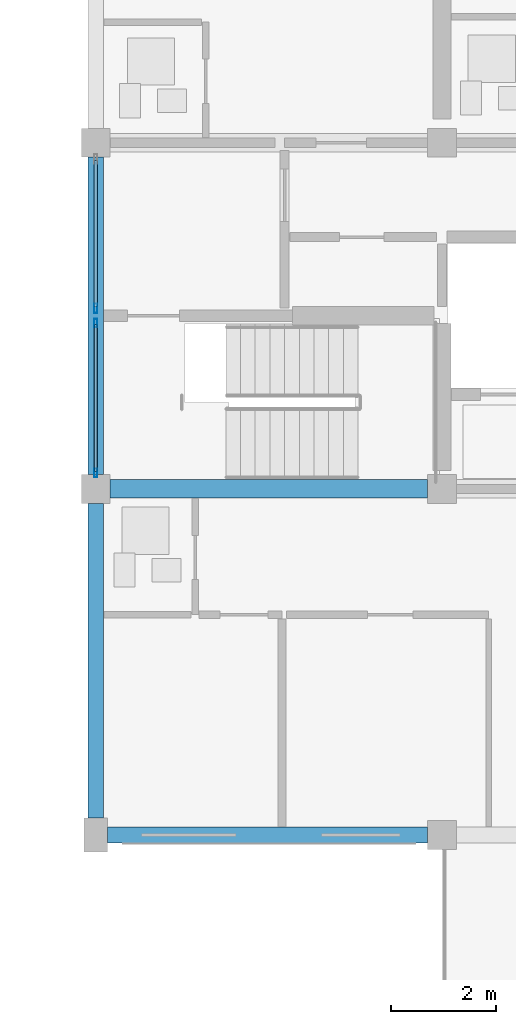
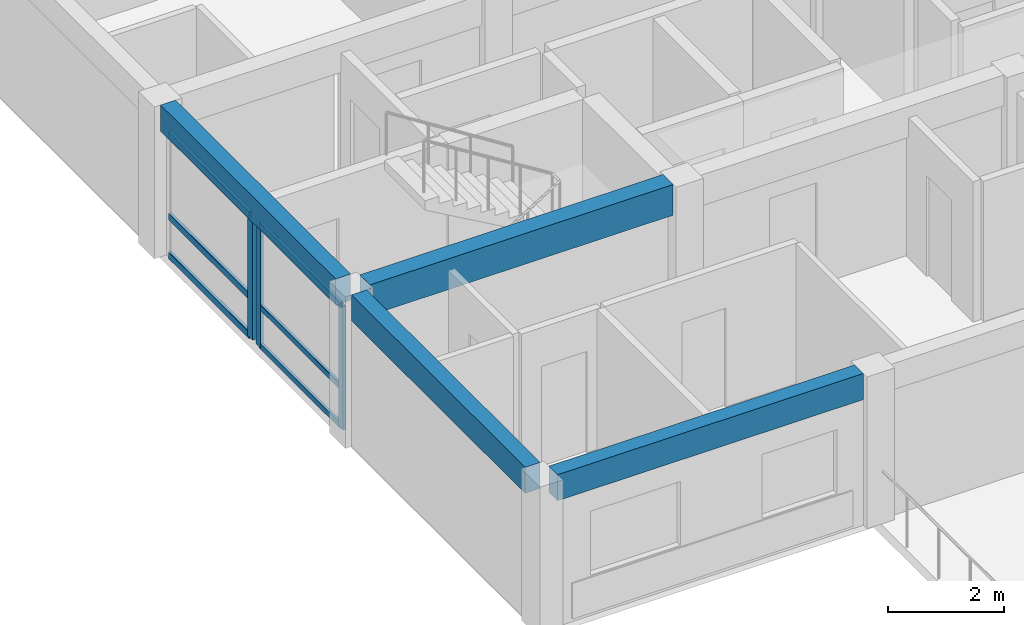
# One storey, part 18 of 51: 9 members, 4 beams, 2 elements without a shape of their own.
"""IFC4 building model written with IfcOpenShell, lengths in metres."""

from ifc_helpers import new_model, si_unit, direction, frame, origin, origin_2d, place, context, subcontext, project, spatial, rectangle, hollow_rectangle, extrude, material, material_profile, profile_set, type_object, element, aggregate, save


model = new_model("IFC4")

# Units and contexts
model_context = context("Model", 3, precision=1e-05, world=origin(), true_north=direction((0.0, 1.0)))
body_context = subcontext(model_context, "Body", "Model", "MODEL_VIEW")
ifc_project = project(units=[si_unit("LENGTHUNIT", "METRE"), si_unit("AREAUNIT", "SQUARE_METRE"), si_unit("VOLUMEUNIT", "CUBIC_METRE"), si_unit("PLANEANGLEUNIT", "RADIAN"), si_unit("MASSUNIT", "GRAM", prefix="KILO")], contexts=[model_context])

# Site, building, storey
site_placement = place(None, origin())
site = spatial("IfcSite", under=ifc_project, at=site_placement, CompositionType="ELEMENT")
building_placement = place(site_placement, origin())
building = spatial("IfcBuilding", under=site, at=building_placement, Name="Kernevlak Ridge Housing Community", CompositionType="ELEMENT")
storey_placement = place(building_placement, frame((0.0, 0.0, 8.39990234375)))
storey = spatial("IfcBuildingStorey", under=building, at=storey_placement, Name="L02", CompositionType="ELEMENT", Elevation=8.39990234375)

# Beam
ifc_material_1 = material(Name="Concrete C35/45", Category="concrete")
ifc_material_profile_1 = material_profile(ifc_material_1, rectangle(XDim=0.35009765625, YDim=0.64990234375, at=origin_2d()), Name="RC 350x650")
ifc_profile_set_1 = profile_set([ifc_material_profile_1], Name="Concrete C35/45")
beam_type_1 = type_object("IfcBeamType", Name="B-02", PredefinedType="BEAM", material=ifc_profile_set_1)
beam_1_placement = place(storey_placement, frame((119.675048828125, 89.199951171875, 2.875), z_axis=(1.0, 0.0, 0.0), x_axis=(0.0, 1.0, 0.0)))
element("IfcBeam", 1, at=beam_1_placement, inside=storey, type_object=beam_type_1, Name="Beam B-02 L02 634", PredefinedType="BEAM", context=body_context, shape_type="SweptSolid", body=[
    extrude(rectangle(XDim=0.35009765625, YDim=0.64990234375, at=origin_2d()), origin(), (0.0, 0.0, 1.0), 6.050048828125),
])

# Curtain wall, members
ifc_material_2 = material(Name="Aluminium EN AW-6060 anodised and laminated glass", Category="aluminium")
curtain_wall_type_1 = type_object("IfcCurtainWallType", Name="CW-04", PredefinedType="NOTDEFINED", material=ifc_material_2)
curtain_wall_1_placement = place(storey_placement, origin())
curtain_wall_1 = element("IfcCurtainWall", 2, at=curtain_wall_1_placement, inside=storey, type_object=curtain_wall_type_1, Name="Curtain wall CW-04 CW-L02-061", PredefinedType="NOTDEFINED")
ifc_material_3 = material(Name="Aluminium EN AW-6060 anodised", Category="aluminium")
ifc_material_profile_2 = material_profile(ifc_material_3, hollow_rectangle(XDim=0.06005859375, YDim=0.159912109375, WallThickness=0.00390625, InnerFilletRadius=0.001953125, OuterFilletRadius=0.00390625, at=origin_2d()), Name="ALU 60x160x4")
ifc_profile_set_2 = profile_set([ifc_material_profile_2], Name="Aluminium EN AW-6060 anodised")
member_type_1 = type_object("IfcMemberType", Name="MU-02", PredefinedType="MULLION", material=ifc_profile_set_2)
member_1_placement = place(storey_placement, frame((119.39990234375, 89.5048828125, 0.0), z_axis=(0.0, 0.0, 1.0), x_axis=(-1.0, 0.0, 0.0)))
member_1 = element("IfcMember", 3, at=member_1_placement, type_object=member_type_1, Name="CW-04 mullion 1", PredefinedType="MULLION", context=body_context, shape_type="SweptSolid", body=[
    extrude(hollow_rectangle(XDim=0.06005859375, YDim=0.159912109375, WallThickness=0.00390625, InnerFilletRadius=0.001953125, OuterFilletRadius=0.00390625, at=origin_2d()), origin(), (0.0, 0.0, 1.0), 2.60009765625),
])
member_2_placement = place(storey_placement, frame((119.39990234375, 92.360107421875, 0.0), z_axis=(0.0, 0.0, 1.0), x_axis=(-1.0, 0.0, 0.0)))
member_2 = element("IfcMember", 4, at=member_2_placement, type_object=member_type_1, Name="CW-04 mullion 2", PredefinedType="MULLION", context=body_context, shape_type="SweptSolid", body=[
    extrude(hollow_rectangle(XDim=0.06005859375, YDim=0.159912109375, WallThickness=0.00390625, InnerFilletRadius=0.001953125, OuterFilletRadius=0.00390625, at=origin_2d()), origin(), (0.0, 0.0, 1.0), 2.60009765625),
])

# Curtain wall, member
curtain_wall_type_2 = type_object("IfcCurtainWallType", Name="CW-09", PredefinedType="NOTDEFINED", material=ifc_material_2)
curtain_wall_2_placement = place(storey_placement, origin())
curtain_wall_2 = element("IfcCurtainWall", 5, at=curtain_wall_2_placement, inside=storey, type_object=curtain_wall_type_2, Name="Curtain wall CW-09 CW-L02-062", PredefinedType="NOTDEFINED")
ifc_material_profile_3 = material_profile(ifc_material_3, hollow_rectangle(XDim=0.06494140625, YDim=0.179931640625, WallThickness=0.00439453125, InnerFilletRadius=0.001953125, OuterFilletRadius=0.00439453125, at=origin_2d()), Name="ALU 65x180x4.5")
ifc_profile_set_3 = profile_set([ifc_material_profile_3], Name="Aluminium EN AW-6060 anodised")
member_type_2 = type_object("IfcMemberType", Name="MU-03", PredefinedType="MULLION", material=ifc_profile_set_3)
member_3_placement = place(storey_placement, frame((119.39990234375, 92.642578125, 0.0), z_axis=(0.0, 0.0, 1.0), x_axis=(-1.0, 0.0, 0.0)))
member_3 = element("IfcMember", 6, at=member_3_placement, type_object=member_type_2, Name="CW-09 mullion 1", PredefinedType="MULLION", context=body_context, shape_type="SweptSolid", body=[
    extrude(hollow_rectangle(XDim=0.06494140625, YDim=0.179931640625, WallThickness=0.00439453125, InnerFilletRadius=0.001953125, OuterFilletRadius=0.00439453125, at=origin_2d()), origin(), (0.0, 0.0, 1.0), 2.60009765625),
])

# Beams
ifc_material_profile_4 = material_profile(ifc_material_1, rectangle(XDim=0.300048828125, YDim=0.550048828125, at=origin_2d()), Name="RC 300x550")
ifc_profile_set_4 = profile_set([ifc_material_profile_4], Name="Concrete C35/45")
beam_type_2 = type_object("IfcBeamType", Name="SP-01", PredefinedType="SPANDREL", material=ifc_profile_set_4)
beam_2_placement = place(storey_placement, frame((119.625, 82.60009765625, 2.925048828125), z_axis=(1.0, 0.0, 0.0), x_axis=(0.0, 1.0, 0.0)))
element("IfcBeam", 7, at=beam_2_placement, inside=storey, type_object=beam_type_2, Name="Beam SP-01 L02 629", PredefinedType="SPANDREL", context=body_context, shape_type="SweptSolid", body=[
    extrude(rectangle(XDim=0.300048828125, YDim=0.550048828125, at=origin_2d()), origin(), (0.0, 0.0, 1.0), 6.10009765625),
])
beam_3_placement = place(storey_placement, frame((119.39990234375, 82.925048828125, 2.925048828125), z_axis=(0.0, 1.0, 0.0), x_axis=(-1.0, 0.0, 0.0)))
element("IfcBeam", 8, at=beam_3_placement, inside=storey, type_object=beam_type_2, Name="Beam SP-01 L02 649", PredefinedType="SPANDREL", context=body_context, shape_type="SweptSolid", body=[
    extrude(rectangle(XDim=0.300048828125, YDim=0.550048828125, at=origin_2d()), origin(), (0.0, 0.0, 1.0), 6.0),
])
beam_4_placement = place(storey_placement, frame((119.39990234375, 89.47509765625, 2.925048828125), z_axis=(0.0, 1.0, 0.0), x_axis=(-1.0, 0.0, 0.0)))
element("IfcBeam", 9, at=beam_4_placement, inside=storey, type_object=beam_type_2, Name="Beam SP-01 L02 650", PredefinedType="SPANDREL", context=body_context, shape_type="SweptSolid", body=[
    extrude(rectangle(XDim=0.300048828125, YDim=0.550048828125, at=origin_2d()), origin(), (0.0, 0.0, 1.0), 6.0498046875),
])

# Member
ifc_material_profile_5 = material_profile(ifc_material_3, hollow_rectangle(XDim=0.06005859375, YDim=0.1201171875, WallThickness=0.00390625, InnerFilletRadius=0.001953125, OuterFilletRadius=0.00390625, at=origin_2d()), Name="ALU 60x120x4")
ifc_profile_set_5 = profile_set([ifc_material_profile_5], Name="Aluminium EN AW-6060 anodised")
member_type_3 = type_object("IfcMemberType", Name="TM-02", PredefinedType="USERDEFINED", material=ifc_profile_set_5)
member_4_placement = place(storey_placement, frame((119.39990234375, 89.534912109375, 0.030029296875), z_axis=(0.0, 1.0, 0.0), x_axis=(-1.0, 0.0, 0.0)))
member_4 = element("IfcMember", 10, at=member_4_placement, type_object=member_type_3, Name="CW-04 transom 1.1", ObjectType="TRANSOM", PredefinedType="USERDEFINED", context=body_context, shape_type="SweptSolid", body=[
    extrude(hollow_rectangle(XDim=0.06005859375, YDim=0.1201171875, WallThickness=0.00390625, InnerFilletRadius=0.001953125, OuterFilletRadius=0.00390625, at=origin_2d()), origin(), (0.0, 0.0, 1.0), 2.795166015625),
])

member_5_placement = place(storey_placement, frame((119.39990234375, 89.534912109375, 0.85009765625), z_axis=(0.0, 1.0, 0.0), x_axis=(-1.0, 0.0, 0.0)))
member_5 = element("IfcMember", 11, at=member_5_placement, type_object=member_type_3, Name="CW-04 transom 1.2", ObjectType="TRANSOM", PredefinedType="USERDEFINED", context=body_context, shape_type="SweptSolid", body=[
    extrude(hollow_rectangle(XDim=0.06005859375, YDim=0.1201171875, WallThickness=0.00390625, InnerFilletRadius=0.001953125, OuterFilletRadius=0.00390625, at=origin_2d()), origin(), (0.0, 0.0, 1.0), 2.795166015625),
])

member_6_placement = place(storey_placement, frame((119.39990234375, 89.534912109375, 2.570068359375), z_axis=(0.0, 1.0, 0.0), x_axis=(-1.0, 0.0, 0.0)))
member_6 = element("IfcMember", 12, at=member_6_placement, type_object=member_type_3, Name="CW-04 transom 1.3", ObjectType="TRANSOM", PredefinedType="USERDEFINED", context=body_context, shape_type="SweptSolid", body=[
    extrude(hollow_rectangle(XDim=0.06005859375, YDim=0.1201171875, WallThickness=0.00390625, InnerFilletRadius=0.001953125, OuterFilletRadius=0.00390625, at=origin_2d()), origin(), (0.0, 0.0, 1.0), 2.795166015625),
])

aggregate(curtain_wall_1, [member_1, member_2, member_4, member_5, member_6])

ifc_material_profile_6 = material_profile(ifc_material_3, hollow_rectangle(XDim=0.06494140625, YDim=0.139892578125, WallThickness=0.00390625, InnerFilletRadius=0.001953125, OuterFilletRadius=0.00390625, at=origin_2d()), Name="ALU 65x140x4")
ifc_profile_set_6 = profile_set([ifc_material_profile_6], Name="Aluminium EN AW-6060 anodised")
member_type_4 = type_object("IfcMemberType", Name="TM-03", PredefinedType="USERDEFINED", material=ifc_profile_set_6)
member_7_placement = place(storey_placement, frame((119.39990234375, 92.675048828125, 0.03271484375), z_axis=(0.0, 1.0, 0.0), x_axis=(-1.0, 0.0, 0.0)))
member_7 = element("IfcMember", 13, at=member_7_placement, type_object=member_type_4, Name="CW-09 transom 1.1", ObjectType="TRANSOM", PredefinedType="USERDEFINED", context=body_context, shape_type="SweptSolid", body=[
    extrude(hollow_rectangle(XDim=0.06494140625, YDim=0.139892578125, WallThickness=0.00390625, InnerFilletRadius=0.001953125, OuterFilletRadius=0.00390625, at=origin_2d()), origin(), (0.0, 0.0, 1.0), 2.784912109375),
])

member_8_placement = place(storey_placement, frame((119.39990234375, 92.675048828125, 0.85009765625), z_axis=(0.0, 1.0, 0.0), x_axis=(-1.0, 0.0, 0.0)))
member_8 = element("IfcMember", 14, at=member_8_placement, type_object=member_type_4, Name="CW-09 transom 1.2", ObjectType="TRANSOM", PredefinedType="USERDEFINED", context=body_context, shape_type="SweptSolid", body=[
    extrude(hollow_rectangle(XDim=0.06494140625, YDim=0.139892578125, WallThickness=0.00390625, InnerFilletRadius=0.001953125, OuterFilletRadius=0.00390625, at=origin_2d()), origin(), (0.0, 0.0, 1.0), 2.784912109375),
])

member_9_placement = place(storey_placement, frame((119.39990234375, 92.675048828125, 2.567626953125), z_axis=(0.0, 1.0, 0.0), x_axis=(-1.0, 0.0, 0.0)))
member_9 = element("IfcMember", 15, at=member_9_placement, type_object=member_type_4, Name="CW-09 transom 1.3", ObjectType="TRANSOM", PredefinedType="USERDEFINED", context=body_context, shape_type="SweptSolid", body=[
    extrude(hollow_rectangle(XDim=0.06494140625, YDim=0.139892578125, WallThickness=0.00390625, InnerFilletRadius=0.001953125, OuterFilletRadius=0.00390625, at=origin_2d()), origin(), (0.0, 0.0, 1.0), 2.784912109375),
])

aggregate(curtain_wall_2, [member_3, member_7, member_8, member_9])

save(model, "model.ifc")
